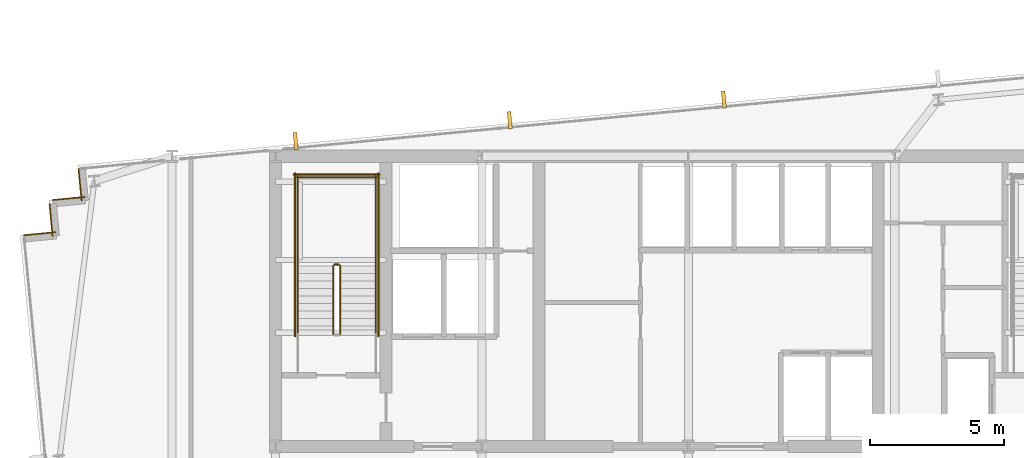
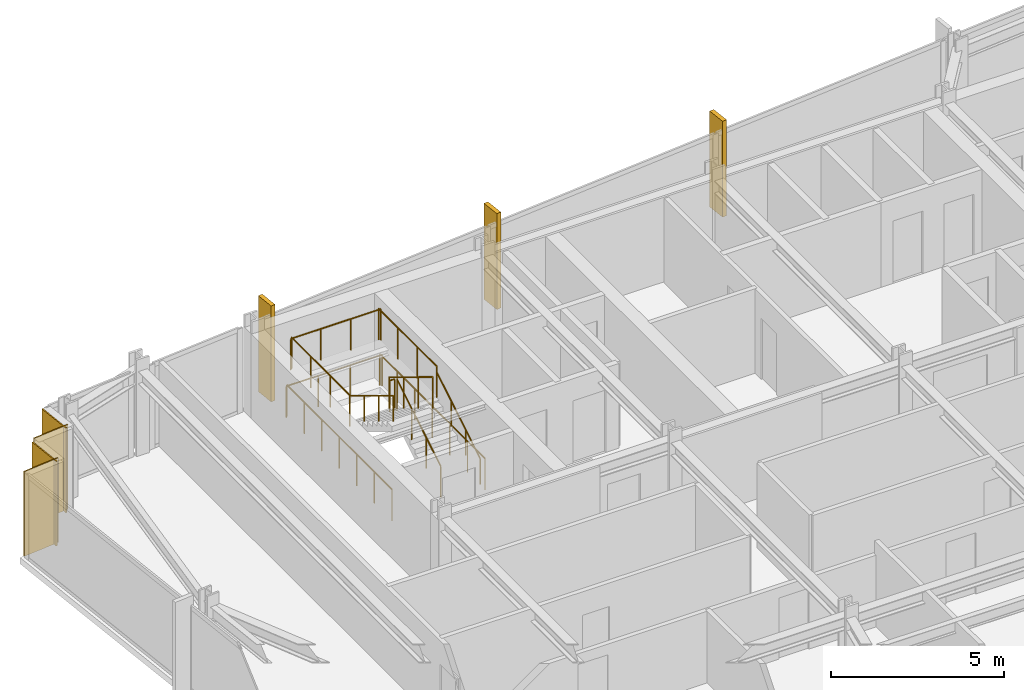
# One storey, part 31 of 32: 11 railings, 4 coverings, 3 shading devices.
"""IFC4 building model written with IfcOpenShell, lengths in metres."""

from ifc_helpers import new_model, si_unit, direction, frame, frame_2d, origin, origin_2d, place, context, subcontext, project, spatial, rectangle, circle, extrude, material, layer, layer_set, type_object, element, save


model = new_model("IFC4")

# Units and contexts
model_context = context("Model", 3, precision=1e-05, world=origin(), true_north=direction((0.0, 1.0)))
body_context = subcontext(model_context, "Body", "Model", "MODEL_VIEW")
ifc_project = project(units=[si_unit("LENGTHUNIT", "METRE"), si_unit("AREAUNIT", "SQUARE_METRE"), si_unit("VOLUMEUNIT", "CUBIC_METRE"), si_unit("PLANEANGLEUNIT", "RADIAN"), si_unit("MASSUNIT", "GRAM", prefix="KILO")], contexts=[model_context])

# Site, building, storey
site_placement = place(None, origin())
site = spatial("IfcSite", under=ifc_project, at=site_placement, CompositionType="ELEMENT")
building_placement = place(site_placement, origin())
building = spatial("IfcBuilding", under=site, at=building_placement, Name="Yelkora Congress Tower", CompositionType="ELEMENT")
storey_placement = place(building_placement, frame((0.0, 0.0, 133.89990234375)))
storey = spatial("IfcBuildingStorey", under=building, at=storey_placement, Name="L36", CompositionType="ELEMENT", Elevation=133.89990234375)

# Coverings
ifc_material_1 = material(Name="Anatolian bush-hammered limestone", Category="masonry")
ifc_layer_1 = layer(ifc_material_1, 0.0400390625)
ifc_layer_set_1 = layer_set([ifc_layer_1], Name="Anatolian bush-hammered limestone")
covering_type = type_object("IfcCoveringType", Name="COV-CLAD-SPANDREL-40", PredefinedType="CLADDING", material=ifc_layer_set_1)
for number, where, z_axis, x_axis, name in (
    (1, (13.677978515625, 43.260986328125, 0.0), (0.0, 0.0, 1.0), (0.995397091755, 0.095836473879, 0.0), "L36 Anatolian Limestone Cladding EW-L36-SR06"),
    (2, (14.7509765625, 43.228759765625, 0.0), (0.0, 0.0, 1.0), (-0.095836473879, 0.995397091755, 0.0), "L36 Anatolian Limestone Cladding EW-L36-SR07"),
):
    element("IfcCovering", number, at=place(storey_placement, frame(where, z_axis=z_axis, x_axis=x_axis)), inside=storey, type_object=covering_type, Name=name, PredefinedType="CLADDING", context=body_context, shape_type="SweptSolid", body=[
        extrude(rectangle(XDim=1.199951171875, YDim=0.0400390625, at=frame_2d((0.60009765625, 0.0))), origin(), (0.0, 0.0, 1.0), 2.97998046875),
    ])
for number, where, z_axis, x_axis, name in (
    (3, (14.75732421875, 44.570556640625, 0.0), (0.0, 0.0, 1.0), (0.995398960025, 0.095817067274, 0.0), "L36 Anatolian Limestone Cladding EW-L36-SR08"),
    (4, (15.830322265625, 44.5380859375, 0.0), (0.0, 0.0, 1.0), (-0.095817067274, 0.995398960025, 0.0), "L36 Anatolian Limestone Cladding EW-L36-SR09"),
):
    element("IfcCovering", number, at=place(storey_placement, frame(where, z_axis=z_axis, x_axis=x_axis)), inside=storey, type_object=covering_type, Name=name, PredefinedType="CLADDING", context=body_context, shape_type="SweptSolid", body=[
        extrude(rectangle(XDim=1.2001953125, YDim=0.0400390625, at=frame_2d((0.60009765625, 0.0))), origin(), (0.0, 0.0, 1.0), 2.97998046875),
    ])

# Railings
ifc_material_2 = material(Name="Painted galvanised steel stair well guard with vertical infill", Category="steel")
ifc_layer_2 = layer(ifc_material_2, 0.06005859375)
ifc_layer_set_2 = layer_set([ifc_layer_2], Name="Painted galvanised steel stair well guard with vertical infill")
railing_type_1 = type_object("IfcRailingType", Name="RAIL-STAIR-GUARD-1120", PredefinedType="GUARDRAIL", material=ifc_layer_set_2)
railing_1_placement = place(storey_placement, frame((25.449951171875, 39.60009765625, 0.170166015625)))
element("IfcRailing", 5, at=railing_1_placement, inside=storey, type_object=railing_type_1, Name="ST-01 L36 Stair Well Guardrail 1", PredefinedType="GUARDRAIL", context=body_context, shape_type="SweptSolid", body=[
    extrude(circle(Radius=0.02392578125, at=origin_2d()), frame((0.0, 0.0, 1.09619140625), z_axis=(0.0, 0.85478489116, 0.518982456201), x_axis=(-1.0, 0.0, 0.0)), (0.0, 0.0, 1.0), 2.9482421875),
    extrude(circle(Radius=0.02099609375, at=origin_2d()), origin(), (0.0, 0.0, 1.0), 1.072021484375),
    extrude(circle(Radius=0.02099609375, at=origin_2d()), frame((0.0, 0.840087890625, 0.510009765625)), (0.0, 0.0, 1.0), 1.072021484375),
    extrude(circle(Radius=0.02099609375, at=origin_2d()), frame((0.0, 1.679931640625, 1.02001953125)), (0.0, 0.0, 1.0), 1.072021484375),
    extrude(circle(Radius=0.02099609375, at=origin_2d()), frame((0.0, 2.52001953125, 1.530029296875)), (0.0, 0.0, 1.0), 1.072021484375),
])
railing_2_placement = place(storey_placement, frame((25.39990234375, 42.169921875, 1.7001953125)))
element("IfcRailing", 6, at=railing_2_placement, inside=storey, type_object=railing_type_1, Name="ST-01 L36 Stair Well Guardrail 2", PredefinedType="GUARDRAIL", context=body_context, shape_type="SweptSolid", body=[
    extrude(circle(Radius=0.02392578125, at=origin_2d()), frame((0.0, 0.0, 1.09619140625), z_axis=(-1.0, 0.0, 0.0), x_axis=(0.0, -1.0, 0.0)), (0.0, 0.0, 1.0), 0.159912109375),
    extrude(circle(Radius=0.02099609375, at=origin_2d()), origin(), (0.0, 0.0, 1.0), 1.072021484375),
    extrude(circle(Radius=0.02099609375, at=origin_2d()), frame((-0.159912109375, 0.0, 0.0)), (0.0, 0.0, 1.0), 1.072021484375),
])
for number, where, name in (
    (7, (26.77001953125, 42.1201171875, 1.7001953125), "ST-01 L36 Stair Well Guardrail 3"),
    (8, (23.8701171875, 42.1201171875, 1.7001953125), "ST-01 L36 Stair Well Guardrail 4"),
):
    element("IfcRailing", number, at=place(storey_placement, frame(where)), inside=storey, type_object=railing_type_1, Name=name, PredefinedType="GUARDRAIL", context=body_context, shape_type="SweptSolid", body=[
        extrude(circle(Radius=0.02392578125, at=origin_2d()), frame((0.0, 0.0, 1.09619140625), z_axis=(0.0, 1.0, 0.0), x_axis=(-1.0, 0.0, 0.0)), (0.0, 0.0, 1.0), 3.349853515625),
        extrude(circle(Radius=0.02099609375, at=origin_2d()), origin(), (0.0, 0.0, 1.0), 1.072021484375),
        extrude(circle(Radius=0.02099609375, at=origin_2d()), frame((0.0, 1.11669921875, 0.0)), (0.0, 0.0, 1.0), 1.072021484375),
        extrude(circle(Radius=0.02099609375, at=origin_2d()), frame((0.0, 2.233154296875, 0.0)), (0.0, 0.0, 1.0), 1.072021484375),
        extrude(circle(Radius=0.02099609375, at=origin_2d()), frame((0.0, 3.349853515625, 0.0)), (0.0, 0.0, 1.0), 1.072021484375),
    ])
railing_3_placement = place(storey_placement, frame((26.820068359375, 45.419921875, 1.7001953125)))
element("IfcRailing", 9, at=railing_3_placement, inside=storey, type_object=railing_type_1, Name="ST-01 L36 Stair Well Guardrail 5", PredefinedType="GUARDRAIL", context=body_context, shape_type="SweptSolid", body=[
    extrude(circle(Radius=0.02392578125, at=origin_2d()), frame((0.0, 0.0, 1.09619140625), z_axis=(-1.0, 0.0, 0.0), x_axis=(0.0, -1.0, 0.0)), (0.0, 0.0, 1.0), 3.0),
    extrude(circle(Radius=0.02099609375, at=origin_2d()), origin(), (0.0, 0.0, 1.0), 1.072021484375),
    extrude(circle(Radius=0.02099609375, at=origin_2d()), frame((-1.0, 0.0, 0.0)), (0.0, 0.0, 1.0), 1.072021484375),
    extrude(circle(Radius=0.02099609375, at=origin_2d()), frame((-2.0, 0.0, 0.0)), (0.0, 0.0, 1.0), 1.072021484375),
    extrude(circle(Radius=0.02099609375, at=origin_2d()), frame((-3.0, 0.0, 0.0)), (0.0, 0.0, 1.0), 1.072021484375),
])
railing_4_placement = place(storey_placement, frame((25.18994140625, 42.1201171875, 1.8701171875)))
element("IfcRailing", 10, at=railing_4_placement, inside=storey, type_object=railing_type_1, Name="ST-01 L36 Stair Well Guardrail 6", PredefinedType="GUARDRAIL", context=body_context, shape_type="SweptSolid", body=[
    extrude(circle(Radius=0.02392578125, at=origin_2d()), frame((0.0, 0.0, 1.09619140625), z_axis=(0.0, -0.85478489116, 0.518982456201), x_axis=(1.0, 0.0, 0.0)), (0.0, 0.0, 1.0), 2.9482421875),
    extrude(circle(Radius=0.02099609375, at=origin_2d()), origin(), (0.0, 0.0, 1.0), 1.072021484375),
    extrude(circle(Radius=0.02099609375, at=origin_2d()), frame((0.0, -0.840087890625, 0.510009765625)), (0.0, 0.0, 1.0), 1.072021484375),
    extrude(circle(Radius=0.02099609375, at=origin_2d()), frame((0.0, -1.679931640625, 1.02001953125)), (0.0, 0.0, 1.0), 1.072021484375),
    extrude(circle(Radius=0.02099609375, at=origin_2d()), frame((0.0, -2.52001953125, 1.530029296875)), (0.0, 0.0, 1.0), 1.072021484375),
])
for number, where, name in (
    (11, (26.8701171875, 39.5, 0.0), "ST-01 L36 Stair Well Guardrail 10"),
    (12, (23.77001953125, 39.5, 0.0), "ST-01 L36 Stair Well Guardrail 11"),
):
    element("IfcRailing", number, at=place(storey_placement, frame(where)), inside=storey, type_object=railing_type_1, Name=name, PredefinedType="GUARDRAIL", context=body_context, shape_type="SweptSolid", body=[
        extrude(circle(Radius=0.02392578125, at=origin_2d()), frame((0.0, 0.0, 1.09619140625), z_axis=(0.0, 1.0, 0.0), x_axis=(-1.0, 0.0, 0.0)), (0.0, 0.0, 1.0), 6.070068359375),
        extrude(circle(Radius=0.02099609375, at=origin_2d()), origin(), (0.0, 0.0, 1.0), 1.072021484375),
        extrude(circle(Radius=0.02099609375, at=origin_2d()), frame((0.0, 1.01171875, 0.0)), (0.0, 0.0, 1.0), 1.072021484375),
        extrude(circle(Radius=0.02099609375, at=origin_2d()), frame((0.0, 2.0234375, 0.0)), (0.0, 0.0, 1.0), 1.072021484375),
        extrude(circle(Radius=0.02099609375, at=origin_2d()), frame((0.0, 3.03515625, 0.0)), (0.0, 0.0, 1.0), 1.072021484375),
        extrude(circle(Radius=0.02099609375, at=origin_2d()), frame((0.0, 4.046630859375, 0.0)), (0.0, 0.0, 1.0), 1.072021484375),
        extrude(circle(Radius=0.02099609375, at=origin_2d()), frame((0.0, 5.058349609375, 0.0)), (0.0, 0.0, 1.0), 1.072021484375),
        extrude(circle(Radius=0.02099609375, at=origin_2d()), frame((0.0, 6.070068359375, 0.0)), (0.0, 0.0, 1.0), 1.072021484375),
    ])
railing_5_placement = place(storey_placement, frame((26.919921875, 45.52001953125, 0.0)))
element("IfcRailing", 13, at=railing_5_placement, inside=storey, type_object=railing_type_1, Name="ST-01 L36 Stair Well Guardrail 12", PredefinedType="GUARDRAIL", context=body_context, shape_type="SweptSolid", body=[
    extrude(circle(Radius=0.02392578125, at=origin_2d()), frame((0.0, 0.0, 1.09619140625), z_axis=(-1.0, 0.0, 0.0), x_axis=(0.0, -1.0, 0.0)), (0.0, 0.0, 1.0), 3.199951171875),
    extrude(circle(Radius=0.02099609375, at=origin_2d()), origin(), (0.0, 0.0, 1.0), 1.072021484375),
    extrude(circle(Radius=0.02099609375, at=origin_2d()), frame((-1.066650390625, 0.0, 0.0)), (0.0, 0.0, 1.0), 1.072021484375),
    extrude(circle(Radius=0.02099609375, at=origin_2d()), frame((-2.13330078125, 0.0, 0.0)), (0.0, 0.0, 1.0), 1.072021484375),
    extrude(circle(Radius=0.02099609375, at=origin_2d()), frame((-3.199951171875, 0.0, 0.0)), (0.0, 0.0, 1.0), 1.072021484375),
])
ifc_material_3 = material(Name="Brushed stainless steel tubular handrail", Category="steel")
ifc_layer_3 = layer(ifc_material_3, 0.050048828125)
ifc_layer_set_3 = layer_set([ifc_layer_3], Name="Brushed stainless steel tubular handrail")
railing_type_2 = type_object("IfcRailingType", Name="RAIL-STAIR-HAND-920", PredefinedType="HANDRAIL", material=ifc_layer_set_3)
railing_6_placement = place(storey_placement, frame((26.77001953125, 39.60009765625, 0.170166015625)))
element("IfcRailing", 14, at=railing_6_placement, inside=storey, type_object=railing_type_2, Name="ST-01 L36 Pitch Handrail 1", PredefinedType="HANDRAIL", context=body_context, shape_type="SweptSolid", body=[
    extrude(circle(Radius=0.02392578125, at=origin_2d()), frame((0.0, 0.0, 0.89599609375), z_axis=(0.0, 0.85478489116, 0.518982456201), x_axis=(-1.0, 0.0, 0.0)), (0.0, 0.0, 1.0), 2.9482421875),
    extrude(circle(Radius=0.02099609375, at=origin_2d()), origin(), (0.0, 0.0, 1.0), 0.871826171875),
    extrude(circle(Radius=0.02099609375, at=origin_2d()), frame((0.0, 0.840087890625, 0.510009765625)), (0.0, 0.0, 1.0), 0.871826171875),
    extrude(circle(Radius=0.02099609375, at=origin_2d()), frame((0.0, 1.679931640625, 1.02001953125)), (0.0, 0.0, 1.0), 0.871826171875),
    extrude(circle(Radius=0.02099609375, at=origin_2d()), frame((0.0, 2.52001953125, 1.530029296875)), (0.0, 0.0, 1.0), 0.871826171875),
])
railing_7_placement = place(storey_placement, frame((23.8701171875, 42.1201171875, 1.8701171875)))
element("IfcRailing", 15, at=railing_7_placement, inside=storey, type_object=railing_type_2, Name="ST-01 L36 Pitch Handrail 2", PredefinedType="HANDRAIL", context=body_context, shape_type="SweptSolid", body=[
    extrude(circle(Radius=0.02392578125, at=origin_2d()), frame((0.0, 0.0, 0.89599609375), z_axis=(0.0, -0.85478489116, 0.518982456201), x_axis=(1.0, 0.0, 0.0)), (0.0, 0.0, 1.0), 2.9482421875),
    extrude(circle(Radius=0.02099609375, at=origin_2d()), origin(), (0.0, 0.0, 1.0), 0.871826171875),
    extrude(circle(Radius=0.02099609375, at=origin_2d()), frame((0.0, -0.840087890625, 0.510009765625)), (0.0, 0.0, 1.0), 0.871826171875),
    extrude(circle(Radius=0.02099609375, at=origin_2d()), frame((0.0, -1.679931640625, 1.02001953125)), (0.0, 0.0, 1.0), 0.871826171875),
    extrude(circle(Radius=0.02099609375, at=origin_2d()), frame((0.0, -2.52001953125, 1.530029296875)), (0.0, 0.0, 1.0), 0.871826171875),
])

# Shading devices
ifc_material_4 = material(Name="Champagne anodised aluminium", Category="aluminium")
ifc_layer_4 = layer(ifc_material_4, 3.39990234375)
ifc_layer_set_4 = layer_set([ifc_layer_4], Name="Champagne anodised aluminium")
shading_device_type = type_object("IfcShadingDeviceType", Name="SHD-FIN-ALU-640", PredefinedType="USERDEFINED", material=ifc_layer_set_4)
for number, where, z_axis, x_axis, name in (
    (16, (23.791015625, 46.771484375, -0.02978515625), (0.0, 0.0, 1.0), (0.995396198367, 0.09584575252, 0.0), "L36 Vertical Anodised Solar Fin 10-1"),
    (17, (31.7568359375, 47.53857421875, -0.02978515625), (0.0, 0.0, 1.0), (0.995396198367, 0.09584575252, 0.0), "L36 Vertical Anodised Solar Fin 10-2"),
    (18, (39.722900390625, 48.3056640625, -0.02978515625), (0.0, 0.0, 1.0), (0.995396198367, 0.09584575252, 0.0), "L36 Vertical Anodised Solar Fin 10-3"),
):
    element("IfcShadingDevice", number, at=place(storey_placement, frame(where, z_axis=z_axis, x_axis=x_axis)), inside=storey, type_object=shading_device_type, Name=name, ObjectType="FIN", PredefinedType="USERDEFINED", context=body_context, shape_type="SweptSolid", body=[
        extrude(rectangle(XDim=0.139892578125, YDim=0.639892578125, at=origin_2d()), origin(), (0.0, 0.0, 1.0), 3.3798828125),
    ])

save(model, "model.ifc")
